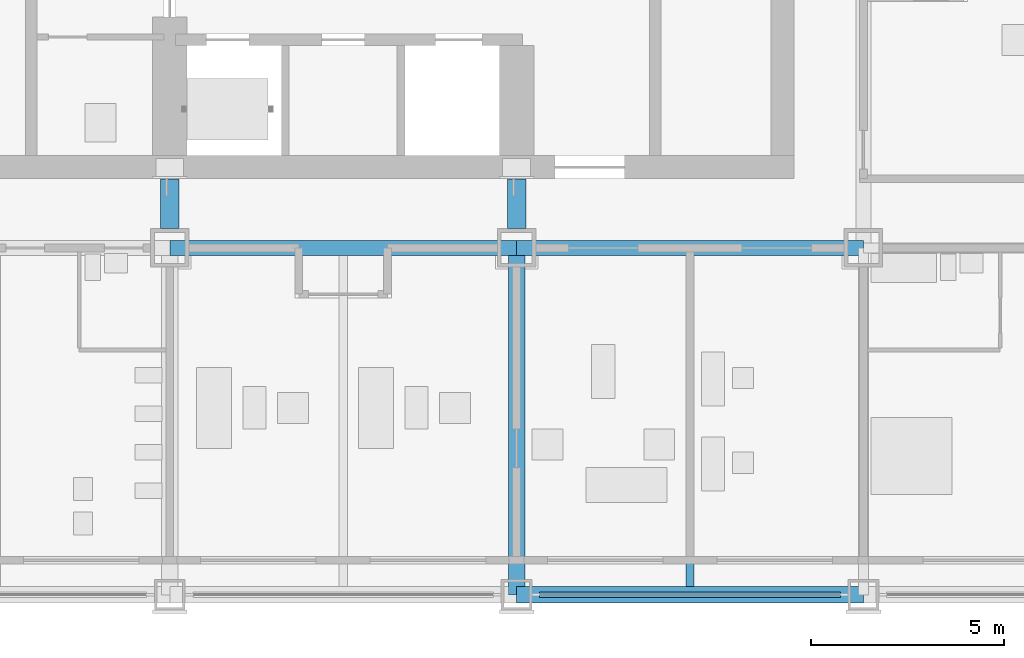
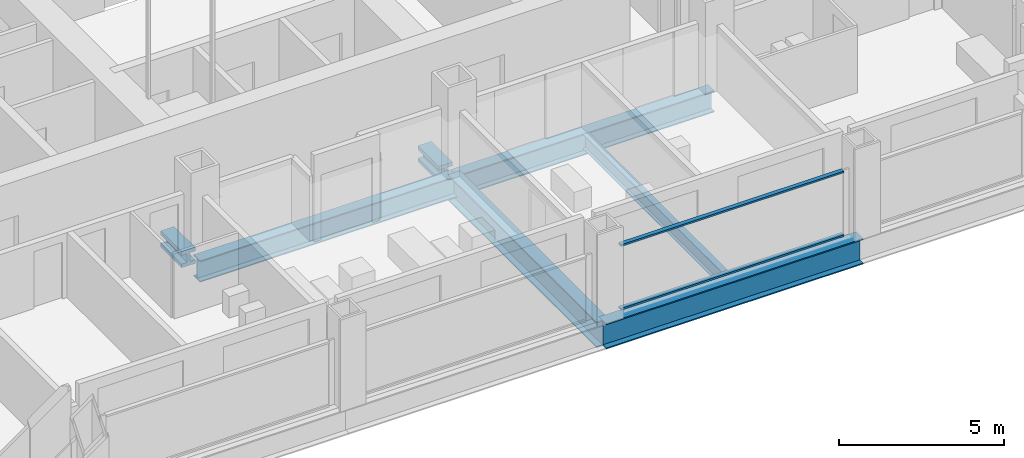
# One storey, part 3 of 15: 5 beams, 4 members, 1 element without a shape of its own.
"""IFC4 building model written with IfcOpenShell, lengths in metres."""

from ifc_helpers import new_model, si_unit, direction, frame, origin, origin_2d, place, context, subcontext, project, spatial, rectangle, i_section, extrude, material, material_profile, profile_set, type_object, element, aggregate, save


model = new_model("IFC4")

# Units and contexts
model_context = context("Model", 3, precision=1e-05, world=origin(), true_north=direction((0.0, 1.0)))
body_context = subcontext(model_context, "Body", "Model", "MODEL_VIEW")
ifc_project = project(units=[si_unit("LENGTHUNIT", "METRE"), si_unit("AREAUNIT", "SQUARE_METRE"), si_unit("VOLUMEUNIT", "CUBIC_METRE"), si_unit("PLANEANGLEUNIT", "RADIAN"), si_unit("MASSUNIT", "GRAM", prefix="KILO")], contexts=[model_context])

# Site, building, storey
site_placement = place(None, origin())
site = spatial("IfcSite", under=ifc_project, at=site_placement, CompositionType="ELEMENT")
building_placement = place(site_placement, origin())
building = spatial("IfcBuilding", under=site, at=building_placement, Name="Loomwork Tower", CompositionType="ELEMENT")
storey_placement = place(building_placement, frame((0.0, 0.0, 160.39990234375)))
storey = spatial("IfcBuildingStorey", under=building, at=storey_placement, Name="L43", CompositionType="ELEMENT", Elevation=160.39990234375)

# Beams
ifc_material_1 = material(Name="Steel ASTM A992", Category="steel")
ifc_material_profile_1 = material_profile(ifc_material_1, i_section(OverallWidth=0.424072265625, OverallDepth=0.947509765625, WebThickness=0.02392578125, FlangeThickness=0.042724609375, at=origin_2d()), Name="W36x302")
ifc_profile_set_1 = profile_set([ifc_material_profile_1], Name="Steel ASTM A992")
beam_type_1 = type_object("IfcBeamType", Name="BELT CHORD SPANDREL W36x302", PredefinedType="SPANDREL", material=ifc_profile_set_1)
beam_1_placement = place(storey_placement, frame((27.0, 0.0, -0.673583984375), z_axis=(1.0, 0.0, 0.0), x_axis=(0.0, 1.0, 0.0)))
element("IfcBeam", 1, at=beam_1_placement, inside=storey, type_object=beam_type_1, Name="Belt Chord Spandrel D/5-D/6 L43", PredefinedType="SPANDREL", context=body_context, shape_type="SweptSolid", body=[
    extrude(i_section(OverallWidth=0.424072265625, OverallDepth=0.947509765625, WebThickness=0.02392578125, FlangeThickness=0.042724609375, at=origin_2d()), origin(), (0.0, 0.0, 1.0), 9.0),
])
ifc_material_2 = material(Name="Steel ASTM A992", Category="steel")
ifc_material_profile_2 = material_profile(ifc_material_2, i_section(OverallWidth=0.383544921875, OverallDepth=0.794921875, WebThickness=0.02099609375, FlangeThickness=0.0380859375, at=origin_2d()), Name="W30x235")
ifc_profile_set_2 = profile_set([ifc_material_profile_2], Name="Steel ASTM A992")
beam_type_2 = type_object("IfcBeamType", Name="CORE FLANK GIRDER W30x235", PredefinedType="BEAM", material=ifc_profile_set_2)
for number, where, z_axis, x_axis, name in (
    (2, (18.0, 9.0, -0.597412109375), (1.0, 0.0, 0.0), (0.0, 1.0, 0.0), "Core Flank Girder E/4-E/5 L43"),
    (3, (27.0, 9.0, -0.597412109375), (1.0, 0.0, 0.0), (0.0, 1.0, 0.0), "Core Flank Girder E/5-E/6 L43"),
):
    element("IfcBeam", number, at=place(storey_placement, frame(where, z_axis=z_axis, x_axis=x_axis)), inside=storey, type_object=beam_type_2, Name=name, PredefinedType="BEAM", context=body_context, shape_type="SweptSolid", body=[
        extrude(i_section(OverallWidth=0.383544921875, OverallDepth=0.794921875, WebThickness=0.02099609375, FlangeThickness=0.0380859375, at=origin_2d()), origin(), (0.0, 0.0, 1.0), 9.0),
    ])
ifc_material_3 = material(Name="Steel ASTM A992", Category="steel")
ifc_material_profile_3 = material_profile(ifc_material_3, i_section(OverallWidth=0.21240234375, OverallDepth=0.54345703125, WebThickness=0.01318359375, FlangeThickness=0.021240234375, at=origin_2d()), Name="W21x83")
ifc_profile_set_3 = profile_set([ifc_material_profile_3], Name="Steel ASTM A992")
beam_type_3 = type_object("IfcBeamType", Name="FLOOR JOIST W21x83", PredefinedType="JOIST", material=ifc_profile_set_3)
beam_2_placement = place(storey_placement, frame((31.5, 0.2119140625, -0.4716796875), z_axis=(0.0, 1.0, 0.0), x_axis=(-1.0, 0.0, 0.0)))
element("IfcBeam", 4, at=beam_2_placement, inside=storey, type_object=beam_type_3, Name="Floor Joist 31.500,0.000-31.500,9.000 L43", PredefinedType="JOIST", context=body_context, shape_type="SweptSolid", body=[
    extrude(i_section(OverallWidth=0.21240234375, OverallDepth=0.54345703125, WebThickness=0.01318359375, FlangeThickness=0.021240234375, at=origin_2d()), origin(), (0.0, 0.0, 1.0), 8.59716796875),
])
ifc_material_4 = material(Name="Steel ASTM A992", Category="steel")
ifc_material_profile_4 = material_profile(ifc_material_4, i_section(OverallWidth=0.424072265625, OverallDepth=0.947509765625, WebThickness=0.02392578125, FlangeThickness=0.042724609375, at=origin_2d()), Name="W36x302")
ifc_profile_set_4 = profile_set([ifc_material_profile_4], Name="Steel ASTM A992")
beam_type_4 = type_object("IfcBeamType", Name="OUTRIGGER GIRDER W36x302", PredefinedType="BEAM", material=ifc_profile_set_4)
beam_3_placement = place(storey_placement, frame((27.0, 0.0, -0.673583984375), z_axis=(0.0, 1.0, 0.0), x_axis=(-1.0, 0.0, 0.0)))
element("IfcBeam", 5, at=beam_3_placement, inside=storey, type_object=beam_type_4, Name="Outrigger Girder D/5-E/5 L43", PredefinedType="BEAM", context=body_context, shape_type="SweptSolid", body=[
    extrude(i_section(OverallWidth=0.424072265625, OverallDepth=0.947509765625, WebThickness=0.02392578125, FlangeThickness=0.042724609375, at=origin_2d()), origin(), (0.0, 0.0, 1.0), 9.0),
])

# Members
ifc_material_5 = material(Name="Steel ASTM A992", Category="steel")
ifc_material_profile_5 = material_profile(ifc_material_5, i_section(OverallWidth=0.4775390625, OverallDepth=0.599365234375, WebThickness=0.10009765625, FlangeThickness=0.139892578125, at=origin_2d()), Name="W14x873")
ifc_profile_set_5 = profile_set([ifc_material_profile_5], Name="Steel ASTM A992")
member_type_1 = type_object("IfcMemberType", Name="OUTRIGGER STRUT W14x873", PredefinedType="STRUT", material=ifc_profile_set_5)
for number, where, z_axis, x_axis, name in (
    (6, (27.0, 9.510009765625, -0.49951171875), (0.0, 1.0, 0.0), (-1.0, 0.0, 0.0), "Outrigger strut E/5-27.000,11.100 L43"),
    (7, (18.0, 9.510009765625, -0.49951171875), (0.0, 1.0, 0.0), (-1.0, 0.0, 0.0), "Outrigger strut E/4-18.000,11.100 L43"),
):
    element("IfcMember", number, at=place(storey_placement, frame(where, z_axis=z_axis, x_axis=x_axis)), inside=storey, type_object=member_type_1, Name=name, PredefinedType="STRUT", context=body_context, shape_type="SweptSolid", body=[
        extrude(i_section(OverallWidth=0.4775390625, OverallDepth=0.599365234375, WebThickness=0.10009765625, FlangeThickness=0.139892578125, at=origin_2d()), origin(), (0.0, 0.0, 1.0), 1.27490234375),
    ])

# Curtain wall, members
ifc_material_6 = material(Name="Aluminium curtain wall frame", Category="aluminium")
curtain_wall_type = type_object("IfcCurtainWallType", Name="Outer skin glazing hotel", PredefinedType="NOTDEFINED", material=ifc_material_6)
curtain_wall_placement = place(storey_placement, origin())
curtain_wall = element("IfcCurtainWall", 8, at=curtain_wall_placement, inside=storey, type_object=curtain_wall_type, Name="Outer skin glazing hotel cw/S-27", PredefinedType="NOTDEFINED")
ifc_material_7 = material(Name="Aluminium curtain wall frame", Category="aluminium")
ifc_material_profile_6 = material_profile(ifc_material_7, rectangle(XDim=0.14990234375, YDim=0.06494140625, at=origin_2d()), Name="AL 65x150")
ifc_profile_set_6 = profile_set([ifc_material_profile_6], Name="Aluminium curtain wall frame")
member_type_2 = type_object("IfcMemberType", Name="Outer skin glazing hotel transom", PredefinedType="USERDEFINED", material=ifc_profile_set_6)
member_1_placement = place(storey_placement, frame((27.60009765625, 0.0, 0.03271484375), z_axis=(1.0, 0.0, 0.0), x_axis=(0.0, 1.0, 0.0)))
member_1 = element("IfcMember", 9, at=member_1_placement, type_object=member_type_2, Name="CW1 transom 1.1", ObjectType="TRANSOM", PredefinedType="USERDEFINED", context=body_context, shape_type="SweptSolid", body=[
    extrude(rectangle(XDim=0.14990234375, YDim=0.06494140625, at=origin_2d()), origin(), (0.0, 0.0, 1.0), 7.7998046875),
])
member_2_placement = place(storey_placement, frame((27.60009765625, 0.0, 2.3876953125), z_axis=(1.0, 0.0, 0.0), x_axis=(0.0, 1.0, 0.0)))
member_2 = element("IfcMember", 10, at=member_2_placement, type_object=member_type_2, Name="CW1 transom 1.2", ObjectType="TRANSOM", PredefinedType="USERDEFINED", context=body_context, shape_type="SweptSolid", body=[
    extrude(rectangle(XDim=0.14990234375, YDim=0.06494140625, at=origin_2d()), origin(), (0.0, 0.0, 1.0), 7.7998046875),
])
aggregate(curtain_wall, [member_1, member_2])

save(model, "model.ifc")
